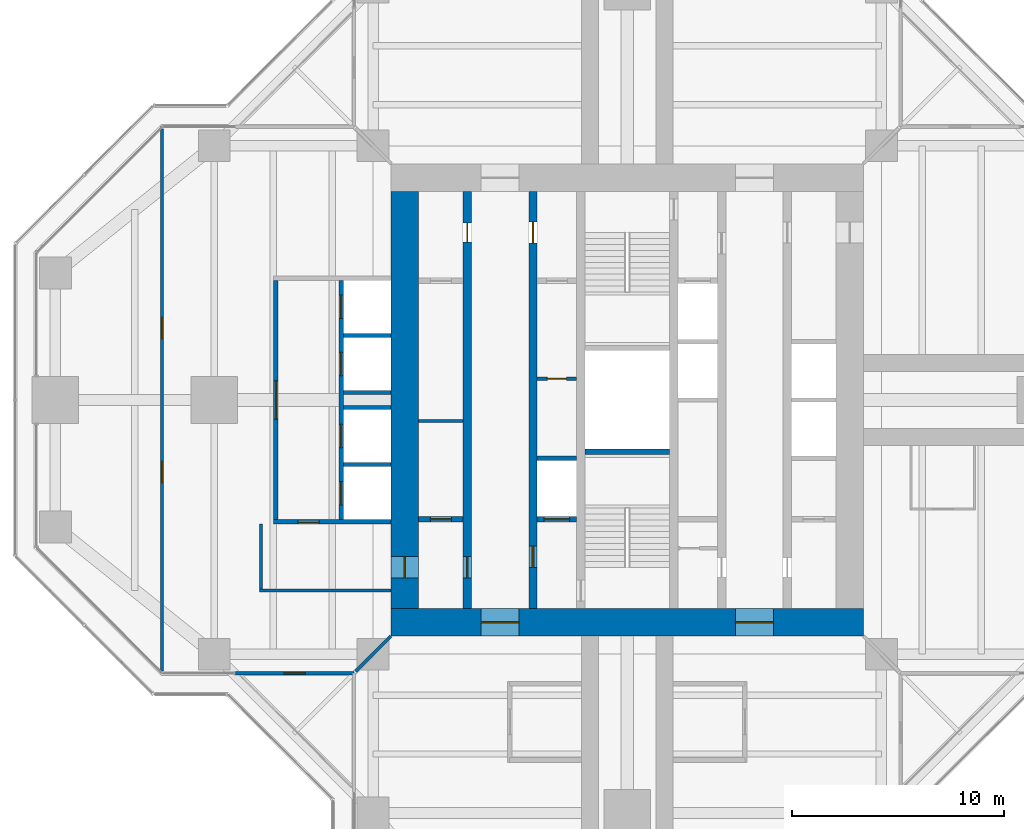
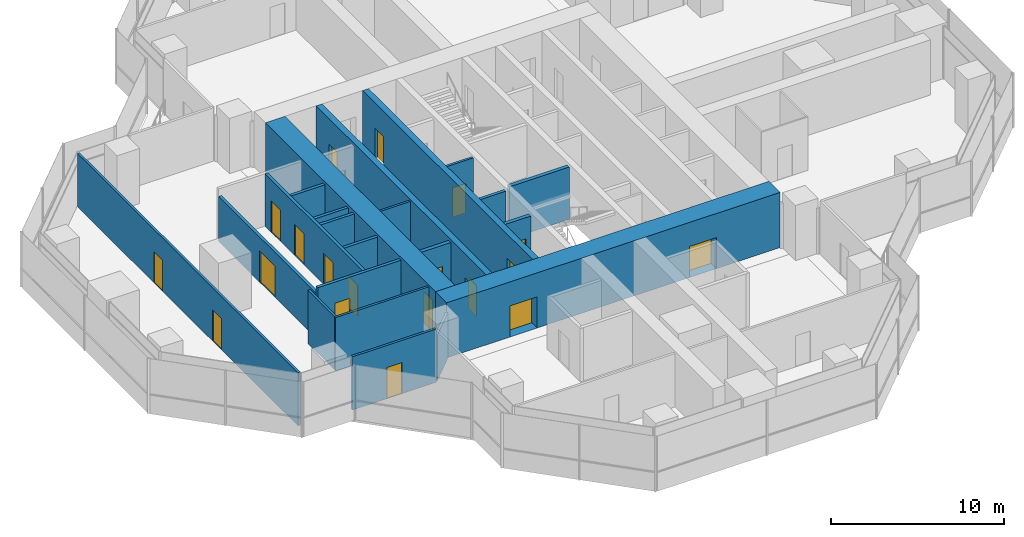
# One storey, part 13 of 17: 22 walls, 19 doors, 19 openings.
"""IFC4 building model written with IfcOpenShell, lengths in metres."""

import ifcopenshell
import ifcopenshell.guid

model = None  # the IFC model being written
_history = None  # IfcOwnerHistory: only IFC2X3 demands one
_inside = {}  # id of a spatial element -> (the spatial element, [elements in it])
_under = {}  # id of a project, library or spatial element -> (it, [spatial elements below it])
_declared = {}  # id of a project -> (the project, [libraries it declares])
_typed = {}  # id of a type object -> (the type object, [elements of that type])
_made_of = {}  # id of a material, layer set ... -> (it, [elements and type objects made of it])


def new_model(schema):
    """Start an empty IFC model of exactly this schema.

    Asked for "IFC4X3", IfcOpenShell would pick the latest addendum, in which some entities
    have other attributes; the version numbers below select the first issue.
    IFC2X3 requires an IfcOwnerHistory on every rooted entity: one is made here for all.
    """
    global model, _history
    if schema == "IFC4X3":
        model = ifcopenshell.file(schema_version=(4, 3, 0, 0))
    else:
        model = ifcopenshell.file(schema=schema)
    _inside.clear()
    _under.clear()
    _declared.clear()
    _typed.clear()
    _made_of.clear()
    _history = None
    if model.schema == "IFC2X3":
        org = make("IfcOrganization", Name="unknown")
        user = make(
            "IfcPersonAndOrganization",
            ThePerson=make("IfcPerson", FamilyName="unknown"),
            TheOrganization=org,
        )
        app = make(
            "IfcApplication",
            ApplicationDeveloper=org,
            Version="unknown",
            ApplicationFullName="unknown",
            ApplicationIdentifier="unknown",
        )
        _history = make(
            "IfcOwnerHistory",
            OwningUser=user,
            OwningApplication=app,
            ChangeAction="ADDED",
            CreationDate=0,
        )
    return model


def make(cls, **values):
    """One entity of the class cls with the attributes given. An attribute that is None is left unset."""
    return model.create_entity(
        cls, **{name: value for name, value in values.items() if value is not None}
    )


def rooted(cls, **values):
    """An entity with a GlobalId (a new one), such as an element, a storey or a relation."""
    return make(cls, GlobalId=ifcopenshell.guid.new(), OwnerHistory=_history, **values)


def si_unit(unit_type, name, prefix=None):
    """IfcSIUnit, for example si_unit("LENGTHUNIT", "METRE", prefix="MILLI")."""
    return make("IfcSIUnit", UnitType=unit_type, Prefix=prefix, Name=name)


def assignment(units):
    """IfcUnitAssignment: the units of a project."""
    return None if units is None else make("IfcUnitAssignment", Units=units)


def point(xyz):
    """IfcCartesianPoint."""
    return None if xyz is None else make("IfcCartesianPoint", Coordinates=xyz)


def direction(xyz):
    """IfcDirection."""
    return None if xyz is None else make("IfcDirection", DirectionRatios=xyz)


def frame(location, z_axis=None, x_axis=None):
    """IfcAxis2Placement3D, a coordinate frame: its origin and axes. An axis left out is left unset."""
    return make(
        "IfcAxis2Placement3D",
        Location=point(location),
        Axis=direction(z_axis),
        RefDirection=direction(x_axis),
    )


def frame_2d(location, x_axis=None):
    """IfcAxis2Placement2D, a coordinate frame in the plane: its origin and x axis."""
    return make(
        "IfcAxis2Placement2D", Location=point(location), RefDirection=direction(x_axis)
    )


def origin():
    """The frame at (0, 0, 0) with its axes left unset."""
    return frame((0.0, 0.0, 0.0))


def place(relative_to, where):
    """IfcLocalPlacement: puts the frame where relative to a parent placement (None: the world)."""
    return make(
        "IfcLocalPlacement", PlacementRelTo=relative_to, RelativePlacement=where
    )


def context(
    kind, dimensions, precision=None, world=None, true_north=None, identifier=None
):
    """IfcGeometricRepresentationContext, for example the 3D "Model" context."""
    return make(
        "IfcGeometricRepresentationContext",
        ContextIdentifier=identifier,
        ContextType=kind,
        CoordinateSpaceDimension=dimensions,
        Precision=precision,
        WorldCoordinateSystem=world,
        TrueNorth=true_north,
    )


def subcontext(parent, identifier, kind, view, scale=None):
    """IfcGeometricRepresentationSubContext, for example "Body" below "Model"."""
    return make(
        "IfcGeometricRepresentationSubContext",
        ContextIdentifier=identifier,
        ContextType=kind,
        ParentContext=parent,
        TargetScale=scale,
        TargetView=view,
    )


def project(units=None, contexts=None):
    """IfcProject with its units and contexts."""
    return rooted(
        "IfcProject",
        Name="project",
        RepresentationContexts=contexts,
        UnitsInContext=assignment(units),
    )


def spatial(cls, under=None, at=None, **own):
    """A site, building, storey or space (cls), placed at a placement, below another one or the project."""
    s = rooted(cls, ObjectPlacement=at, **own)
    if under is not None:
        _under.setdefault(under.id(), (under, []))[1].append(s)
    return s


def profile(cls, at=None, kind="AREA", **sizes):
    """A parametric profile (cls). Its sizes go by their IFC names, for example OverallWidth=200.0."""
    return make(cls, ProfileType=kind, Position=at, **sizes)


def rectangle(**sizes):
    """IfcRectangleProfileDef."""
    return profile("IfcRectangleProfileDef", **sizes)


def extrude(swept, where, along, depth):
    """IfcExtrudedAreaSolid: the profile swept, set in the frame where, extruded along a direction by depth."""
    return make(
        "IfcExtrudedAreaSolid",
        SweptArea=swept,
        Position=where,
        ExtrudedDirection=direction(along),
        Depth=depth,
    )


def shape(context_of_items, identifier, shape_type, items):
    """IfcShapeRepresentation: the items that make up one representation, for example the "Body"."""
    return make(
        "IfcShapeRepresentation",
        ContextOfItems=context_of_items,
        RepresentationIdentifier=identifier,
        RepresentationType=shape_type,
        Items=items,
    )


def material(Name=None, Category=None):
    """IfcMaterial."""
    return make("IfcMaterial", Name=Name, Category=Category)


def layer(
    of_material, thickness, ventilated=None, Name=None, Category=None, Priority=None
):
    """IfcMaterialLayer: one layer of a wall or slab, of a material (None: an air gap)."""
    return make(
        "IfcMaterialLayer",
        Material=of_material,
        LayerThickness=thickness,
        IsVentilated=ventilated,
        Name=Name,
        Category=Category,
        Priority=Priority,
    )


def layer_set(layers, Name=None):
    """IfcMaterialLayerSet."""
    return make("IfcMaterialLayerSet", MaterialLayers=layers, LayerSetName=Name)


def made_of(thing, what):
    """Note that an element or type object is made of a material, layer set ...; save() writes the relation."""
    if what is not None:
        _made_of.setdefault(what.id(), (what, []))[1].append(thing)
    return thing


def type_object(cls, material=None, **own):
    """A type object (cls), such as IfcWallType, which elements share."""
    return made_of(rooted(cls, **own), material)


def element(
    cls,
    number,
    at=None,
    inside=None,
    cuts=None,
    type_object=None,
    material=None,
    context=None,
    identifier="Body",
    shape_type=None,
    held_by="IfcProductDefinitionShape",
    body=None,
    shapes=None,
    **own,
):
    """One element of the class cls, such as IfcWall. Its Tag is "e" and its number.

    at: its placement. inside: the storey or other place that contains it. cuts: it is an
    opening in that element (IfcRelVoidsElement). A single representation is given by context,
    identifier, shape_type and body (its items); several are given by shapes. held_by: the class
    of the entity that holds the representations. save() writes the other relations.
    """
    e = rooted(cls, Tag="e%d" % number, ObjectPlacement=at, **own)
    if body is not None:
        shapes = [shape(context, identifier, shape_type, body)]
    if shapes is not None:
        e.Representation = make(held_by, Representations=shapes)
    if inside is not None:
        _inside.setdefault(inside.id(), (inside, []))[1].append(e)
    if cuts is not None:
        rooted(
            "IfcRelVoidsElement", RelatingBuildingElement=cuts, RelatedOpeningElement=e
        )
    if type_object is not None:
        _typed.setdefault(type_object.id(), (type_object, []))[1].append(e)
    return made_of(e, material)


def fill(opening, filler):
    """IfcRelFillsElement: the door or window that sits in an opening."""
    return rooted(
        "IfcRelFillsElement",
        RelatingOpeningElement=opening,
        RelatedBuildingElement=filler,
    )


def aggregate(whole, parts):
    """IfcRelAggregates: a whole, such as a stair, and the parts it consists of."""
    return rooted("IfcRelAggregates", RelatingObject=whole, RelatedObjects=parts)


def save(model, path):
    """Write the relations noted so far, then the file.

    IfcRelAggregates (storeys below a building ...), IfcRelContainedInSpatialStructure (elements
    in a storey), IfcRelDefinesByType, IfcRelAssociatesMaterial and IfcRelDeclares: one each for
    every whole, place, type object, material and project.
    """
    for whole, parts in _under.values():
        aggregate(whole, parts)
    for where, things in _inside.values():
        rooted(
            "IfcRelContainedInSpatialStructure",
            RelatedElements=things,
            RelatingStructure=where,
        )
    for kind, things in _typed.values():
        rooted("IfcRelDefinesByType", RelatedObjects=things, RelatingType=kind)
    for what, things in _made_of.values():
        rooted("IfcRelAssociatesMaterial", RelatedObjects=things, RelatingMaterial=what)
    for by, libraries in _declared.values():
        rooted("IfcRelDeclares", RelatingContext=by, RelatedDefinitions=libraries)
    model.write(path)


model = new_model("IFC4")

# Units and contexts
model_context = context("Model", 3, precision=1e-05, world=origin(), true_north=direction((0.0, 1.0)))
body_context = subcontext(model_context, "Body", "Model", "MODEL_VIEW")
ifc_project = project(units=[si_unit("LENGTHUNIT", "METRE"), si_unit("AREAUNIT", "SQUARE_METRE"), si_unit("VOLUMEUNIT", "CUBIC_METRE"), si_unit("PLANEANGLEUNIT", "RADIAN"), si_unit("MASSUNIT", "GRAM", prefix="KILO")], contexts=[model_context])

# Site, building, storey
site_placement = place(None, origin())
site = spatial("IfcSite", under=ifc_project, at=site_placement, CompositionType="ELEMENT")
building_placement = place(site_placement, origin())
building = spatial("IfcBuilding", under=site, at=building_placement, Name="Mizan Broadcast Tower", CompositionType="ELEMENT")
storey_placement = place(building_placement, frame((0.0, 0.0, 224.39990234375)))
storey = spatial("IfcBuildingStorey", under=building, at=storey_placement, Name="L52", CompositionType="ELEMENT", Elevation=224.39990234375)

# Wall, openings, doors
ifc_material_1 = material(Name="Concrete C70/85", Category="concrete")
ifc_layer_1 = layer(ifc_material_1, 0.39990234375)
ifc_layer_set_1 = layer_set([ifc_layer_1], Name="Concrete C70/85")
wall_type_1 = type_object("IfcWallType", Name="CORE INTERNAL WALL 400", PredefinedType="SHEAR", material=ifc_layer_set_1)
wall_1_placement = place(storey_placement, frame((-7.550048828125, -9.85009765625, 0.0), z_axis=(0.0, 0.0, 1.0), x_axis=(0.0, 1.0, 0.0)))
wall_1 = element("IfcWall", 1, at=wall_1_placement, inside=storey, type_object=wall_type_1, Name="Core wall CORE/XW1", PredefinedType="SHEAR", context=body_context, shape_type="SweptSolid", body=[
    extrude(rectangle(XDim=19.7001953125, YDim=0.39990234375, at=frame_2d((9.85009765625, 0.0))), origin(), (0.0, 0.0, 1.0), 3.900146484375),
])
opening_1_placement = place(wall_1_placement, frame((1.449951171875, 0.0, 0.0)))
opening_1 = element("IfcOpeningElement", 2, at=opening_1_placement, cuts=wall_1, Name="Opening D10F", PredefinedType="OPENING", context=body_context, shape_type="SweptSolid", body=[
    extrude(rectangle(XDim=1.0, YDim=2.199951171875, at=frame_2d((0.5, 1.10009765625))), frame((0.0, 0.2099609375, 0.0), z_axis=(0.0, -1.0, 0.0), x_axis=(1.0, 0.0, 0.0)), (0.0, 0.0, 1.0), 0.419921875),
])
opening_2_placement = place(wall_1_placement, frame((17.300048828125, 0.0, 0.0)))
opening_2 = element("IfcOpeningElement", 3, at=opening_2_placement, cuts=wall_1, Name="Opening D09", PredefinedType="OPENING", context=body_context, shape_type="SweptSolid", body=[
    extrude(rectangle(XDim=0.89990234375, YDim=2.10009765625, at=frame_2d((0.449951171875, 1.050048828125))), frame((0.0, 0.2099609375, 0.0), z_axis=(0.0, -1.0, 0.0), x_axis=(1.0, 0.0, 0.0)), (0.0, 0.0, 1.0), 0.419921875),
])
ifc_material_2 = material(Name="Steel door leaf in steel frame", Category="steel")
door_type_1 = type_object("IfcDoorType", Name="FIRE DOOR 1000 FD90", OperationType="SINGLE_SWING_LEFT", PredefinedType="DOOR", material=ifc_material_2)
door_1_placement = place(opening_1_placement, origin())
door_1 = element("IfcDoor", 4, at=door_1_placement, inside=storey, type_object=door_type_1, Name="West core passage door", OperationType="SINGLE_SWING_LEFT", OverallHeight=2.199951171875, OverallWidth=1.0, PredefinedType="DOOR", context=body_context, shape_type="SweptSolid", body=[
    extrude(rectangle(XDim=1.0, YDim=2.199951171875, at=frame_2d((0.5, 1.10009765625))), frame((0.0, 0.02490234375, 0.0), z_axis=(0.0, -1.0, 0.0), x_axis=(1.0, 0.0, 0.0)), (0.0, 0.0, 1.0), 0.050048828125),
])
fill(opening_1, door_1)
ifc_material_3 = material(Name="Timber door leaf in aluminium frame", Category="wood")
door_type_2 = type_object("IfcDoorType", Name="TOILET DOOR 900", OperationType="SINGLE_SWING_LEFT", PredefinedType="DOOR", material=ifc_material_3)
door_2_placement = place(opening_2_placement, origin())
door_2 = element("IfcDoor", 5, at=door_2_placement, inside=storey, type_object=door_type_2, Name="Male WC door", OperationType="SINGLE_SWING_RIGHT", OverallHeight=2.10009765625, OverallWidth=0.89990234375, PredefinedType="DOOR", context=body_context, shape_type="SweptSolid", body=[
    extrude(rectangle(XDim=0.89990234375, YDim=2.10009765625, at=frame_2d((0.449951171875, 1.050048828125))), frame((0.0, 0.02490234375, 0.0), z_axis=(0.0, -1.0, 0.0), x_axis=(1.0, 0.0, 0.0)), (0.0, 0.0, 1.0), 0.050048828125),
])
fill(opening_2, door_2)

wall_2_placement = place(storey_placement, frame((-4.449951171875, -9.85009765625, 0.0), z_axis=(0.0, 0.0, 1.0), x_axis=(0.0, 1.0, 0.0)))
wall_2 = element("IfcWall", 6, at=wall_2_placement, inside=storey, type_object=wall_type_1, Name="Core wall CORE/XWH", PredefinedType="SHEAR", context=body_context, shape_type="SweptSolid", body=[
    extrude(rectangle(XDim=19.7001953125, YDim=0.39990234375, at=frame_2d((9.85009765625, 0.0))), origin(), (0.0, 0.0, 1.0), 3.900146484375),
])
opening_3_placement = place(wall_2_placement, frame((1.949951171875, 0.0, 0.0)))
opening_3 = element("IfcOpeningElement", 7, at=opening_3_placement, cuts=wall_2, Name="Opening D10F", PredefinedType="OPENING", context=body_context, shape_type="SweptSolid", body=[
    extrude(rectangle(XDim=1.0, YDim=2.199951171875, at=frame_2d((0.5, 1.10009765625))), frame((0.0, 0.2099609375, 0.0), z_axis=(0.0, -1.0, 0.0), x_axis=(1.0, 0.0, 0.0)), (0.0, 0.0, 1.0), 0.419921875),
])
opening_4_placement = place(wall_2_placement, frame((17.25, 0.0, 0.0)))
opening_4 = element("IfcOpeningElement", 8, at=opening_4_placement, cuts=wall_2, Name="Opening D10A", PredefinedType="OPENING", context=body_context, shape_type="SweptSolid", body=[
    extrude(rectangle(XDim=1.0, YDim=2.10009765625, at=frame_2d((0.5, 1.050048828125))), frame((0.0, 0.2099609375, 0.0), z_axis=(0.0, -1.0, 0.0), x_axis=(1.0, 0.0, 0.0)), (0.0, 0.0, 1.0), 0.419921875),
])
ifc_material_4 = material(Name="Timber door leaf in aluminium frame", Category="wood")
door_type_3 = type_object("IfcDoorType", Name="ACCESSIBLE WC DOOR 1000", OperationType="SLIDING_TO_LEFT", PredefinedType="DOOR", material=ifc_material_4)
door_3_placement = place(opening_4_placement, origin())
door_3 = element("IfcDoor", 9, at=door_3_placement, inside=storey, type_object=door_type_3, Name="Accessible WC door", OperationType="SLIDING_TO_LEFT", OverallHeight=2.10009765625, OverallWidth=1.0, PredefinedType="DOOR", context=body_context, shape_type="SweptSolid", body=[
    extrude(rectangle(XDim=1.0, YDim=2.10009765625, at=frame_2d((0.5, 1.050048828125))), frame((0.0, 0.02490234375, 0.0), z_axis=(0.0, -1.0, 0.0), x_axis=(1.0, 0.0, 0.0)), (0.0, 0.0, 1.0), 0.050048828125),
])
fill(opening_4, door_3)
door_4_placement = place(opening_3_placement, origin())
door_4 = element("IfcDoor", 10, at=door_4_placement, inside=storey, type_object=door_type_1, Name="Firefighting lobby A door", OperationType="SINGLE_SWING_LEFT", OverallHeight=2.199951171875, OverallWidth=1.0, PredefinedType="DOOR", context=body_context, shape_type="SweptSolid", body=[
    extrude(rectangle(XDim=1.0, YDim=2.199951171875, at=frame_2d((0.5, 1.10009765625))), frame((0.0, 0.02490234375, 0.0), z_axis=(0.0, -1.0, 0.0), x_axis=(1.0, 0.0, 0.0)), (0.0, 0.0, 1.0), 0.050048828125),
])
fill(opening_3, door_4)

# Wall
ifc_material_5 = material(Name="Concrete blockwork", Category="masonry")
ifc_layer_2 = layer(ifc_material_5, 0.14990234375)
ifc_layer_set_2 = layer_set([ifc_layer_2], Name="Concrete blockwork")
wall_type_2 = type_object("IfcWallType", Name="CORE PARTITION 150", PredefinedType="SOLIDWALL", material=ifc_layer_set_2)
wall_3_placement = place(storey_placement, frame((-9.85009765625, -1.0, 0.0), z_axis=(0.0, 0.0, 1.0), x_axis=(1.0, 0.0, 0.0)))
element("IfcWall", 11, at=wall_3_placement, inside=storey, type_object=wall_type_2, Name="Core partition CORE/XP1", PredefinedType="SOLIDWALL", context=body_context, shape_type="SweptSolid", body=[
    extrude(rectangle(XDim=2.10009765625, YDim=0.14990234375, at=frame_2d((1.050048828125, 0.0))), origin(), (0.0, 0.0, 1.0), 3.77001953125),
])

# Wall, opening, door
wall_4_placement = place(storey_placement, frame((-4.25, 1.0, 0.0), z_axis=(0.0, 0.0, 1.0), x_axis=(1.0, 0.0, 0.0)))
wall_4 = element("IfcWall", 12, at=wall_4_placement, inside=storey, type_object=wall_type_2, Name="Core partition CORE/XP2", PredefinedType="SOLIDWALL", context=body_context, shape_type="SweptSolid", body=[
    extrude(rectangle(XDim=1.85009765625, YDim=0.14990234375, at=frame_2d((0.925048828125, 0.0))), origin(), (0.0, 0.0, 1.0), 3.77001953125),
])
opening_5_placement = place(wall_4_placement, frame((0.47509765625, 0.0, 0.0)))
opening_5 = element("IfcOpeningElement", 13, at=opening_5_placement, cuts=wall_4, Name="Opening D09F", PredefinedType="OPENING", context=body_context, shape_type="SweptSolid", body=[
    extrude(rectangle(XDim=0.89990234375, YDim=2.10009765625, at=frame_2d((0.449951171875, 1.050048828125))), frame((0.0, 0.0849609375, 0.0), z_axis=(0.0, -1.0, 0.0), x_axis=(1.0, 0.0, 0.0)), (0.0, 0.0, 1.0), 0.169921875),
])
ifc_material_6 = material(Name="Steel door leaf in steel frame", Category="steel")
door_type_4 = type_object("IfcDoorType", Name="CORE ROOM DOOR 900 FD90", OperationType="SINGLE_SWING_LEFT", PredefinedType="DOOR", material=ifc_material_6)
door_5_placement = place(opening_5_placement, origin())
door_5 = element("IfcDoor", 14, at=door_5_placement, inside=storey, type_object=door_type_4, Name="Accessible changing room door", OperationType="SINGLE_SWING_RIGHT", OverallHeight=2.10009765625, OverallWidth=0.89990234375, PredefinedType="DOOR", context=body_context, shape_type="SweptSolid", body=[
    extrude(rectangle(XDim=0.89990234375, YDim=2.10009765625, at=frame_2d((0.449951171875, 1.050048828125))), frame((0.0, 0.02490234375, 0.0), z_axis=(0.0, -1.0, 0.0), x_axis=(1.0, 0.0, 0.0)), (0.0, 0.0, 1.0), 0.050048828125),
])
fill(opening_5, door_5)

# Wall, openings, doors
ifc_material_7 = material(Name="Concrete C70/85", Category="concrete")
ifc_layer_3 = layer(ifc_material_7, 1.300048828125)
ifc_layer_set_3 = layer_set([ifc_layer_3], Name="Concrete C70/85")
wall_type_3 = type_object("IfcWallType", Name="CORE WALL 1300", PredefinedType="SHEAR", material=ifc_layer_set_3)
wall_5_placement = place(storey_placement, frame((11.14990234375, -10.5, 0.0), z_axis=(0.0, 0.0, 1.0), x_axis=(-1.0, 0.0, 0.0)))
wall_5 = element("IfcWall", 15, at=wall_5_placement, inside=storey, type_object=wall_type_3, Name="Core wall S L52", PredefinedType="SHEAR", context=body_context, shape_type="SweptSolid", body=[
    extrude(rectangle(XDim=22.2998046875, YDim=1.300048828125, at=frame_2d((11.14990234375, 0.0))), origin(), (0.0, 0.0, 1.0), 3.900146484375),
])
opening_6_placement = place(wall_5_placement, frame((16.25, 0.0, 0.0)))
opening_6 = element("IfcOpeningElement", 16, at=opening_6_placement, cuts=wall_5, Name="Opening D18F", PredefinedType="OPENING", context=body_context, shape_type="SweptSolid", body=[
    extrude(rectangle(XDim=1.800048828125, YDim=2.199951171875, at=frame_2d((0.89990234375, 1.10009765625))), frame((0.0, 0.659912109375, 0.0), z_axis=(0.0, -1.0, 0.0), x_axis=(1.0, 0.0, 0.0)), (0.0, 0.0, 1.0), 1.320068359375),
])
opening_7_placement = place(wall_5_placement, frame((4.25, 0.0, 0.0)))
opening_7 = element("IfcOpeningElement", 17, at=opening_7_placement, cuts=wall_5, Name="Opening D18F", PredefinedType="OPENING", context=body_context, shape_type="SweptSolid", body=[
    extrude(rectangle(XDim=1.800048828125, YDim=2.199951171875, at=frame_2d((0.89990234375, 1.10009765625))), frame((0.0, 0.659912109375, 0.0), z_axis=(0.0, -1.0, 0.0), x_axis=(1.0, 0.0, 0.0)), (0.0, 0.0, 1.0), 1.320068359375),
])
ifc_material_8 = material(Name="Steel door leaf in steel frame", Category="steel")
door_type_5 = type_object("IfcDoorType", Name="LOBBY DOUBLE DOOR 1800 FD90", OperationType="DOUBLE_DOOR_DOUBLE_SWING", PredefinedType="DOOR", material=ifc_material_8)
door_6_placement = place(opening_6_placement, origin())
door_6 = element("IfcDoor", 18, at=door_6_placement, inside=storey, type_object=door_type_5, Name="West lift lobby south door", OperationType="DOUBLE_DOOR_DOUBLE_SWING", OverallHeight=2.199951171875, OverallWidth=1.800048828125, PredefinedType="DOOR", context=body_context, shape_type="SweptSolid", body=[
    extrude(rectangle(XDim=1.800048828125, YDim=2.199951171875, at=frame_2d((0.89990234375, 1.10009765625))), frame((0.0, 0.02490234375, 0.0), z_axis=(0.0, -1.0, 0.0), x_axis=(1.0, 0.0, 0.0)), (0.0, 0.0, 1.0), 0.050048828125),
])
fill(opening_6, door_6)
door_7_placement = place(opening_7_placement, origin())
door_7 = element("IfcDoor", 19, at=door_7_placement, inside=storey, type_object=door_type_5, Name="East lift lobby south door", OperationType="DOUBLE_DOOR_DOUBLE_SWING", OverallHeight=2.199951171875, OverallWidth=1.800048828125, PredefinedType="DOOR", context=body_context, shape_type="SweptSolid", body=[
    extrude(rectangle(XDim=1.800048828125, YDim=2.199951171875, at=frame_2d((0.89990234375, 1.10009765625))), frame((0.0, 0.02490234375, 0.0), z_axis=(0.0, -1.0, 0.0), x_axis=(1.0, 0.0, 0.0)), (0.0, 0.0, 1.0), 0.050048828125),
])
fill(opening_7, door_7)

# Wall, opening, door
wall_6_placement = place(storey_placement, frame((-10.5, 9.85009765625, 0.0), z_axis=(0.0, 0.0, 1.0), x_axis=(0.0, -1.0, 0.0)))
wall_6 = element("IfcWall", 20, at=wall_6_placement, inside=storey, type_object=wall_type_3, Name="Core wall W L52", PredefinedType="SHEAR", context=body_context, shape_type="SweptSolid", body=[
    extrude(rectangle(XDim=19.7001953125, YDim=1.300048828125, at=frame_2d((9.85009765625, 0.0))), origin(), (0.0, 0.0, 1.0), 3.900146484375),
])
opening_8_placement = place(wall_6_placement, frame((17.25, 0.0, 0.0)))
opening_8 = element("IfcOpeningElement", 21, at=opening_8_placement, cuts=wall_6, Name="Opening D10F", PredefinedType="OPENING", context=body_context, shape_type="SweptSolid", body=[
    extrude(rectangle(XDim=1.0, YDim=2.199951171875, at=frame_2d((0.5, 1.10009765625))), frame((0.0, 0.659912109375, 0.0), z_axis=(0.0, -1.0, 0.0), x_axis=(1.0, 0.0, 0.0)), (0.0, 0.0, 1.0), 1.320068359375),
])
door_8_placement = place(opening_8_placement, origin())
door_8 = element("IfcDoor", 22, at=door_8_placement, inside=storey, type_object=door_type_1, Name="West core passage arm door", OperationType="SINGLE_SWING_RIGHT", OverallHeight=2.199951171875, OverallWidth=1.0, PredefinedType="DOOR", context=body_context, shape_type="SweptSolid", body=[
    extrude(rectangle(XDim=1.0, YDim=2.199951171875, at=frame_2d((0.5, 1.10009765625))), frame((0.0, 0.02490234375, 0.0), z_axis=(0.0, -1.0, 0.0), x_axis=(1.0, 0.0, 0.0)), (0.0, 0.0, 1.0), 0.050048828125),
])
fill(opening_8, door_8)

ifc_material_9 = material(Name="Aluminium framed glazed screen", Category="aluminium")
ifc_layer_4 = layer(ifc_material_9, 0.159912109375)
ifc_layer_set_4 = layer_set([ifc_layer_4], Name="Aluminium framed glazed screen")
wall_type_4 = type_object("IfcWallType", Name="GLAZED SCREEN WALL 160", PredefinedType="SOLIDWALL", material=ifc_layer_set_4)
wall_7_placement = place(storey_placement, frame((-18.5, -12.89990234375, 0.0), z_axis=(0.0, 0.0, 1.0), x_axis=(1.0, 0.0, 0.0)))
wall_7 = element("IfcWall", 23, at=wall_7_placement, inside=storey, type_object=wall_type_4, Name="Winter garden screen L52 W", PredefinedType="SOLIDWALL", context=body_context, shape_type="SweptSolid", body=[
    extrude(rectangle(XDim=5.60009765625, YDim=0.159912109375, at=frame_2d((2.800048828125, 0.0))), origin(), (0.0, 0.0, 1.0), 3.77001953125),
])
opening_9_placement = place(wall_7_placement, frame((2.300048828125, 0.0, 0.0)))
opening_9 = element("IfcOpeningElement", 24, at=opening_9_placement, cuts=wall_7, Name="Opening WGD", PredefinedType="OPENING", context=body_context, shape_type="SweptSolid", body=[
    extrude(rectangle(XDim=1.0, YDim=2.199951171875, at=frame_2d((0.5, 1.10009765625))), frame((0.0, 0.08984375, 0.0), z_axis=(0.0, -1.0, 0.0), x_axis=(1.0, 0.0, 0.0)), (0.0, 0.0, 1.0), 0.179931640625),
])
ifc_material_10 = material(Name="Aluminium framed glazed door", Category="aluminium")
door_type_6 = type_object("IfcDoorType", Name="WINTER GARDEN DOOR 1000 GLAZED", OperationType="SINGLE_SWING_LEFT", PredefinedType="DOOR", material=ifc_material_10)
door_9_placement = place(opening_9_placement, origin())
door_9 = element("IfcDoor", 25, at=door_9_placement, inside=storey, type_object=door_type_6, Name="Winter garden door L52 W", OperationType="SINGLE_SWING_RIGHT", OverallHeight=2.199951171875, OverallWidth=1.0, PredefinedType="DOOR", context=body_context, shape_type="SweptSolid", body=[
    extrude(rectangle(XDim=1.0, YDim=2.199951171875, at=frame_2d((0.5, 1.10009765625))), frame((0.0, 0.02490234375, 0.0), z_axis=(0.0, -1.0, 0.0), x_axis=(1.0, 0.0, 0.0)), (0.0, 0.0, 1.0), 0.050048828125),
])
fill(opening_9, door_9)

# Wall
ifc_material_11 = material(Name="Concrete blockwork", Category="masonry")
ifc_layer_5 = layer(ifc_material_11, 0.199951171875)
ifc_layer_set_5 = layer_set([ifc_layer_5], Name="Concrete blockwork")
wall_type_5 = type_object("IfcWallType", Name="LIFT SHAFT WALL 200", PredefinedType="SOLIDWALL", material=ifc_layer_set_5)
wall_8_placement = place(storey_placement, frame((-4.25, -2.75, 0.0), z_axis=(0.0, 0.0, 1.0), x_axis=(1.0, 0.0, 0.0)))
element("IfcWall", 26, at=wall_8_placement, inside=storey, type_object=wall_type_5, Name="Lift shaft wall CORE/SW2-1", PredefinedType="SOLIDWALL", context=body_context, shape_type="SweptSolid", body=[
    extrude(rectangle(XDim=1.85009765625, YDim=0.199951171875, at=frame_2d((0.925048828125, 0.0))), origin(), (0.0, 0.0, 1.0), 3.7001953125),
])

# Wall, openings, doors
wall_9_placement = place(storey_placement, frame((-13.5, 5.64990234375, 0.0), z_axis=(0.0, 0.0, 1.0), x_axis=(0.0, -1.0, 0.0)))
wall_9 = element("IfcWall", 27, at=wall_9_placement, inside=storey, type_object=wall_type_5, Name="Lift shaft wall LC/F", PredefinedType="SOLIDWALL", context=body_context, shape_type="SweptSolid", body=[
    extrude(rectangle(XDim=11.2998046875, YDim=0.199951171875, at=frame_2d((5.64990234375, 0.0))), origin(), (0.0, 0.0, 1.0), 3.7001953125),
])
opening_10_placement = place(wall_9_placement, frame((0.699951171875, 0.0, 0.0)))
opening_10 = element("IfcOpeningElement", 28, at=opening_10_placement, cuts=wall_9, Name="Opening LD", PredefinedType="OPENING", context=body_context, shape_type="SweptSolid", body=[
    extrude(rectangle(XDim=1.10009765625, YDim=2.199951171875, at=frame_2d((0.550048828125, 1.10009765625))), frame((0.0, 0.10986328125, 0.0), z_axis=(0.0, -1.0, 0.0), x_axis=(1.0, 0.0, 0.0)), (0.0, 0.0, 1.0), 0.219970703125),
])
opening_11_placement = place(wall_9_placement, frame((3.39990234375, 0.0, 0.0)))
opening_11 = element("IfcOpeningElement", 29, at=opening_11_placement, cuts=wall_9, Name="Opening LD", PredefinedType="OPENING", context=body_context, shape_type="SweptSolid", body=[
    extrude(rectangle(XDim=1.10009765625, YDim=2.199951171875, at=frame_2d((0.550048828125, 1.10009765625))), frame((0.0, 0.10986328125, 0.0), z_axis=(0.0, -1.0, 0.0), x_axis=(1.0, 0.0, 0.0)), (0.0, 0.0, 1.0), 0.219970703125),
])
opening_12_placement = place(wall_9_placement, frame((6.800048828125, 0.0, 0.0)))
opening_12 = element("IfcOpeningElement", 30, at=opening_12_placement, cuts=wall_9, Name="Opening LD", PredefinedType="OPENING", context=body_context, shape_type="SweptSolid", body=[
    extrude(rectangle(XDim=1.10009765625, YDim=2.199951171875, at=frame_2d((0.550048828125, 1.10009765625))), frame((0.0, 0.10986328125, 0.0), z_axis=(0.0, -1.0, 0.0), x_axis=(1.0, 0.0, 0.0)), (0.0, 0.0, 1.0), 0.219970703125),
])
opening_13_placement = place(wall_9_placement, frame((9.5, 0.0, 0.0)))
opening_13 = element("IfcOpeningElement", 31, at=opening_13_placement, cuts=wall_9, Name="Opening LD", PredefinedType="OPENING", context=body_context, shape_type="SweptSolid", body=[
    extrude(rectangle(XDim=1.10009765625, YDim=2.199951171875, at=frame_2d((0.550048828125, 1.10009765625))), frame((0.0, 0.10986328125, 0.0), z_axis=(0.0, -1.0, 0.0), x_axis=(1.0, 0.0, 0.0)), (0.0, 0.0, 1.0), 0.219970703125),
])
ifc_material_12 = material(Name="Steel door leaf in steel frame", Category="steel")
door_type_7 = type_object("IfcDoorType", Name="LIFT LANDING DOOR 1100", OperationType="SLIDING_TO_LEFT", PredefinedType="DOOR", material=ifc_material_12)
door_10_placement = place(opening_10_placement, origin())
door_10 = element("IfcDoor", 32, at=door_10_placement, inside=storey, type_object=door_type_7, Name="Landing door LC1", OperationType="SLIDING_TO_LEFT", OverallHeight=2.199951171875, OverallWidth=1.10009765625, PredefinedType="DOOR", context=body_context, shape_type="SweptSolid", body=[
    extrude(rectangle(XDim=1.10009765625, YDim=2.199951171875, at=frame_2d((0.550048828125, 1.10009765625))), frame((0.0, 0.02490234375, 0.0), z_axis=(0.0, -1.0, 0.0), x_axis=(1.0, 0.0, 0.0)), (0.0, 0.0, 1.0), 0.050048828125),
])
fill(opening_10, door_10)
door_11_placement = place(opening_11_placement, origin())
door_11 = element("IfcDoor", 33, at=door_11_placement, inside=storey, type_object=door_type_7, Name="Landing door LC2", OperationType="SLIDING_TO_LEFT", OverallHeight=2.199951171875, OverallWidth=1.10009765625, PredefinedType="DOOR", context=body_context, shape_type="SweptSolid", body=[
    extrude(rectangle(XDim=1.10009765625, YDim=2.199951171875, at=frame_2d((0.550048828125, 1.10009765625))), frame((0.0, 0.02490234375, 0.0), z_axis=(0.0, -1.0, 0.0), x_axis=(1.0, 0.0, 0.0)), (0.0, 0.0, 1.0), 0.050048828125),
])
fill(opening_11, door_11)
door_12_placement = place(opening_12_placement, origin())
door_12 = element("IfcDoor", 34, at=door_12_placement, inside=storey, type_object=door_type_7, Name="Landing door LC3", OperationType="SLIDING_TO_LEFT", OverallHeight=2.199951171875, OverallWidth=1.10009765625, PredefinedType="DOOR", context=body_context, shape_type="SweptSolid", body=[
    extrude(rectangle(XDim=1.10009765625, YDim=2.199951171875, at=frame_2d((0.550048828125, 1.10009765625))), frame((0.0, 0.02490234375, 0.0), z_axis=(0.0, -1.0, 0.0), x_axis=(1.0, 0.0, 0.0)), (0.0, 0.0, 1.0), 0.050048828125),
])
fill(opening_12, door_12)
door_13_placement = place(opening_13_placement, origin())
door_13 = element("IfcDoor", 35, at=door_13_placement, inside=storey, type_object=door_type_7, Name="Landing door LC4", OperationType="SLIDING_TO_LEFT", OverallHeight=2.199951171875, OverallWidth=1.10009765625, PredefinedType="DOOR", context=body_context, shape_type="SweptSolid", body=[
    extrude(rectangle(XDim=1.10009765625, YDim=2.199951171875, at=frame_2d((0.550048828125, 1.10009765625))), frame((0.0, 0.02490234375, 0.0), z_axis=(0.0, -1.0, 0.0), x_axis=(1.0, 0.0, 0.0)), (0.0, 0.0, 1.0), 0.050048828125),
])
fill(opening_13, door_13)

# Wall, opening, door
wall_10_placement = place(storey_placement, frame((-11.14990234375, -5.75, 0.0), z_axis=(0.0, 0.0, 1.0), x_axis=(-1.0, 0.0, 0.0)))
wall_10 = element("IfcWall", 36, at=wall_10_placement, inside=storey, type_object=wall_type_5, Name="Lift shaft wall LC/S2", PredefinedType="SOLIDWALL", context=body_context, shape_type="SweptSolid", body=[
    extrude(rectangle(XDim=5.550048828125, YDim=0.199951171875, at=frame_2d((2.77490234375, 0.0))), origin(), (0.0, 0.0, 1.0), 3.7001953125),
])
opening_14_placement = place(wall_10_placement, frame((3.39990234375, 0.0, 0.0)))
opening_14 = element("IfcOpeningElement", 37, at=opening_14_placement, cuts=wall_10, Name="Opening D10F", PredefinedType="OPENING", context=body_context, shape_type="SweptSolid", body=[
    extrude(rectangle(XDim=1.0, YDim=2.199951171875, at=frame_2d((0.5, 1.10009765625))), frame((0.0, 0.10986328125, 0.0), z_axis=(0.0, -1.0, 0.0), x_axis=(1.0, 0.0, 0.0)), (0.0, 0.0, 1.0), 0.219970703125),
])
door_14_placement = place(opening_14_placement, origin())
door_14 = element("IfcDoor", 38, at=door_14_placement, inside=storey, type_object=door_type_1, Name="High-rise lobby corridor door", OperationType="SINGLE_SWING_RIGHT", OverallHeight=2.199951171875, OverallWidth=1.0, PredefinedType="DOOR", context=body_context, shape_type="SweptSolid", body=[
    extrude(rectangle(XDim=1.0, YDim=2.199951171875, at=frame_2d((0.5, 1.10009765625))), frame((0.0, 0.02490234375, 0.0), z_axis=(0.0, -1.0, 0.0), x_axis=(1.0, 0.0, 0.0)), (0.0, 0.0, 1.0), 0.050048828125),
])
fill(opening_14, door_14)

# Walls
for number, where, z_axis, x_axis, name in (
    (39, (-11.14990234375, 3.050048828125, 0.0), (0.0, 0.0, 1.0), (-1.0, 0.0, 0.0), "Lift shaft wall LC/SP1"),
    (40, (-11.14990234375, 0.35009765625, 0.0), (0.0, 0.0, 1.0), (-1.0, 0.0, 0.0), "Lift shaft wall LC/SP2"),
    (41, (-11.14990234375, -0.35009765625, 0.0), (0.0, 0.0, 1.0), (-1.0, 0.0, 0.0), "Lift shaft wall LC/SP3"),
    (42, (-11.14990234375, -3.050048828125, 0.0), (0.0, 0.0, 1.0), (-1.0, 0.0, 0.0), "Lift shaft wall LC/SP4"),
):
    element("IfcWall", number, at=place(storey_placement, frame(where, z_axis=z_axis, x_axis=x_axis)), inside=storey, type_object=wall_type_5, Name=name, PredefinedType="SOLIDWALL", context=body_context, shape_type="SweptSolid", body=[
        extrude(rectangle(XDim=2.25, YDim=0.199951171875, at=frame_2d((1.125, 0.0))), origin(), (0.0, 0.0, 1.0), 3.7001953125),
    ])

# Wall, opening, door
ifc_material_13 = material(Name="Concrete blockwork", Category="masonry")
ifc_layer_6 = layer(ifc_material_13, 0.25)
ifc_layer_set_6 = layer_set([ifc_layer_6], Name="Concrete blockwork")
wall_type_6 = type_object("IfcWallType", Name="LOBBY ENCLOSURE WALL 250", PredefinedType="SOLIDWALL", material=ifc_layer_set_6)
wall_11_placement = place(storey_placement, frame((-9.85009765625, -5.625, 0.0), z_axis=(0.0, 0.0, 1.0), x_axis=(1.0, 0.0, 0.0)))
wall_11 = element("IfcWall", 43, at=wall_11_placement, inside=storey, type_object=wall_type_6, Name="Lobby enclosure wall CORE/BW1S", PredefinedType="SOLIDWALL", context=body_context, shape_type="SweptSolid", body=[
    extrude(rectangle(XDim=2.10009765625, YDim=0.25, at=frame_2d((1.050048828125, 0.0))), origin(), (0.0, 0.0, 1.0), 3.7001953125),
])
opening_15_placement = place(wall_11_placement, frame((0.550048828125, 0.0, 0.0)))
opening_15 = element("IfcOpeningElement", 44, at=opening_15_placement, cuts=wall_11, Name="Opening D10F", PredefinedType="OPENING", context=body_context, shape_type="SweptSolid", body=[
    extrude(rectangle(XDim=1.0, YDim=2.199951171875, at=frame_2d((0.5, 1.10009765625))), frame((0.0, 0.135009765625, 0.0), z_axis=(0.0, -1.0, 0.0), x_axis=(1.0, 0.0, 0.0)), (0.0, 0.0, 1.0), 0.27001953125),
])
door_15_placement = place(opening_15_placement, origin())
door_15 = element("IfcDoor", 45, at=door_15_placement, inside=storey, type_object=door_type_1, Name="Housekeeping store door", OperationType="SINGLE_SWING_RIGHT", OverallHeight=2.199951171875, OverallWidth=1.0, PredefinedType="DOOR", context=body_context, shape_type="SweptSolid", body=[
    extrude(rectangle(XDim=1.0, YDim=2.199951171875, at=frame_2d((0.5, 1.10009765625))), frame((0.0, 0.02490234375, 0.0), z_axis=(0.0, -1.0, 0.0), x_axis=(1.0, 0.0, 0.0)), (0.0, 0.0, 1.0), 0.050048828125),
])
fill(opening_15, door_15)

wall_12_placement = place(storey_placement, frame((-4.25, -5.625, 0.0), z_axis=(0.0, 0.0, 1.0), x_axis=(1.0, 0.0, 0.0)))
wall_12 = element("IfcWall", 46, at=wall_12_placement, inside=storey, type_object=wall_type_6, Name="Lobby enclosure wall CORE/BW2S", PredefinedType="SOLIDWALL", context=body_context, shape_type="SweptSolid", body=[
    extrude(rectangle(XDim=1.85009765625, YDim=0.25, at=frame_2d((0.925048828125, 0.0))), origin(), (0.0, 0.0, 1.0), 3.7001953125),
])
opening_16_placement = place(wall_12_placement, frame((0.324951171875, 0.0, 0.0)))
opening_16 = element("IfcOpeningElement", 47, at=opening_16_placement, cuts=wall_12, Name="Opening LDF", PredefinedType="OPENING", context=body_context, shape_type="SweptSolid", body=[
    extrude(rectangle(XDim=1.199951171875, YDim=2.199951171875, at=frame_2d((0.60009765625, 1.10009765625))), frame((0.0, 0.135009765625, 0.0), z_axis=(0.0, -1.0, 0.0), x_axis=(1.0, 0.0, 0.0)), (0.0, 0.0, 1.0), 0.27001953125),
])
ifc_material_14 = material(Name="Steel door leaf in steel frame", Category="steel")
door_type_8 = type_object("IfcDoorType", Name="FIREFIGHTING LIFT LANDING DOOR 1200", OperationType="SLIDING_TO_LEFT", PredefinedType="DOOR", material=ifc_material_14)
door_16_placement = place(opening_16_placement, origin())
door_16 = element("IfcDoor", 48, at=door_16_placement, inside=storey, type_object=door_type_8, Name="Landing door FF1", OperationType="SLIDING_TO_LEFT", OverallHeight=2.199951171875, OverallWidth=1.199951171875, PredefinedType="DOOR", context=body_context, shape_type="SweptSolid", body=[
    extrude(rectangle(XDim=1.199951171875, YDim=2.199951171875, at=frame_2d((0.60009765625, 1.10009765625))), frame((0.0, 0.02490234375, 0.0), z_axis=(0.0, -1.0, 0.0), x_axis=(1.0, 0.0, 0.0)), (0.0, 0.0, 1.0), 0.050048828125),
])
fill(opening_16, door_16)

# Wall
wall_13_placement = place(storey_placement, frame((-2.0, -2.449951171875, 0.0), z_axis=(0.0, 0.0, 1.0), x_axis=(1.0, 0.0, 0.0)))
element("IfcWall", 49, at=wall_13_placement, inside=storey, type_object=wall_type_6, Name="Lobby enclosure wall CORE/STA", PredefinedType="SOLIDWALL", context=body_context, shape_type="SweptSolid", body=[
    extrude(rectangle(XDim=4.0, YDim=0.25, at=frame_2d((2.0, 0.0))), origin(), (0.0, 0.0, 1.0), 3.7001953125),
])

# Wall, opening, door
wall_14_placement = place(storey_placement, frame((-16.60009765625, 5.64990234375, 0.0), z_axis=(0.0, 0.0, 1.0), x_axis=(0.0, -1.0, 0.0)))
wall_14 = element("IfcWall", 50, at=wall_14_placement, inside=storey, type_object=wall_type_6, Name="Lobby enclosure wall LC/LF", PredefinedType="SOLIDWALL", context=body_context, shape_type="SweptSolid", body=[
    extrude(rectangle(XDim=11.2998046875, YDim=0.199951171875, at=frame_2d((5.64990234375, 0.0))), origin(), (0.0, 0.0, 1.0), 3.18017578125),
])
opening_17_placement = place(wall_14_placement, frame((4.75, 0.0, 0.0)))
opening_17 = element("IfcOpeningElement", 51, at=opening_17_placement, cuts=wall_14, Name="Opening D18F", PredefinedType="OPENING", context=body_context, shape_type="SweptSolid", body=[
    extrude(rectangle(XDim=1.800048828125, YDim=2.199951171875, at=frame_2d((0.89990234375, 1.10009765625))), frame((0.0, 0.10986328125, 0.0), z_axis=(0.0, -1.0, 0.0), x_axis=(1.0, 0.0, 0.0)), (0.0, 0.0, 1.0), 0.219970703125),
])
door_17_placement = place(opening_17_placement, origin())
door_17 = element("IfcDoor", 52, at=door_17_placement, inside=storey, type_object=door_type_5, Name="High-rise lift lobby door", OperationType="DOUBLE_DOOR_DOUBLE_SWING", OverallHeight=2.199951171875, OverallWidth=1.800048828125, PredefinedType="DOOR", context=body_context, shape_type="SweptSolid", body=[
    extrude(rectangle(XDim=1.800048828125, YDim=2.199951171875, at=frame_2d((0.89990234375, 1.10009765625))), frame((0.0, 0.02490234375, 0.0), z_axis=(0.0, -1.0, 0.0), x_axis=(1.0, 0.0, 0.0)), (0.0, 0.0, 1.0), 0.050048828125),
])
fill(opening_17, door_17)

# Wall, openings, doors
ifc_material_15 = material(Name="Gypsum board on steel studs", Category="steel")
ifc_layer_7 = layer(ifc_material_15, 0.14990234375)
ifc_layer_set_7 = layer_set([ifc_layer_7], Name="Gypsum board on steel studs")
wall_type_7 = type_object("IfcWallType", Name="PARTITION 150", PredefinedType="PARTITIONING", material=ifc_layer_set_7)
wall_15_placement = place(storey_placement, frame((-21.958984375, 12.786376953125, 0.0), z_axis=(0.0, 0.0, 1.0), x_axis=(0.0, -1.0, 0.0)))
wall_15 = element("IfcWall", 53, at=wall_15_placement, inside=storey, type_object=wall_type_7, Name="Partition PT/WX1", PredefinedType="PARTITIONING", context=body_context, shape_type="SweptSolid", body=[
    extrude(rectangle(XDim=25.57275390625, YDim=0.14990234375, at=frame_2d((12.786376953125, 0.0))), origin(), (0.0, 0.0, 1.0), 3.77001953125),
])
opening_18_placement = place(wall_15_placement, frame((15.6865234375, 0.0, 0.0)))
opening_18 = element("IfcOpeningElement", 54, at=opening_18_placement, cuts=wall_15, Name="Opening D10", PredefinedType="OPENING", context=body_context, shape_type="SweptSolid", body=[
    extrude(rectangle(XDim=1.0, YDim=2.199951171875, at=frame_2d((0.5, 1.10009765625))), frame((0.0, 0.0849609375, 0.0), z_axis=(0.0, -1.0, 0.0), x_axis=(1.0, 0.0, 0.0)), (0.0, 0.0, 1.0), 0.169921875),
])
opening_19_placement = place(wall_15_placement, frame((8.886474609375, 0.0, 0.0)))
opening_19 = element("IfcOpeningElement", 55, at=opening_19_placement, cuts=wall_15, Name="Opening D10", PredefinedType="OPENING", context=body_context, shape_type="SweptSolid", body=[
    extrude(rectangle(XDim=1.0, YDim=2.199951171875, at=frame_2d((0.5, 1.10009765625))), frame((0.0, 0.0849609375, 0.0), z_axis=(0.0, -1.0, 0.0), x_axis=(1.0, 0.0, 0.0)), (0.0, 0.0, 1.0), 0.169921875),
])
ifc_material_16 = material(Name="Timber door leaf in aluminium frame", Category="wood")
door_type_9 = type_object("IfcDoorType", Name="ROOM DOOR 1000", OperationType="SINGLE_SWING_LEFT", PredefinedType="DOOR", material=ifc_material_16)
door_18_placement = place(opening_18_placement, origin())
door_18 = element("IfcDoor", 56, at=door_18_placement, inside=storey, type_object=door_type_9, Name="Statistics room door", OperationType="SINGLE_SWING_RIGHT", OverallHeight=2.199951171875, OverallWidth=1.0, PredefinedType="DOOR", context=body_context, shape_type="SweptSolid", body=[
    extrude(rectangle(XDim=1.0, YDim=2.199951171875, at=frame_2d((0.5, 1.10009765625))), frame((0.0, 0.02490234375, 0.0), z_axis=(0.0, -1.0, 0.0), x_axis=(1.0, 0.0, 0.0)), (0.0, 0.0, 1.0), 0.050048828125),
])
fill(opening_18, door_18)
door_19_placement = place(opening_19_placement, origin())
door_19 = element("IfcDoor", 57, at=door_19_placement, inside=storey, type_object=door_type_9, Name="Statistics room door", OperationType="SINGLE_SWING_LEFT", OverallHeight=2.199951171875, OverallWidth=1.0, PredefinedType="DOOR", context=body_context, shape_type="SweptSolid", body=[
    extrude(rectangle(XDim=1.0, YDim=2.199951171875, at=frame_2d((0.5, 1.10009765625))), frame((0.0, 0.02490234375, 0.0), z_axis=(0.0, -1.0, 0.0), x_axis=(1.0, 0.0, 0.0)), (0.0, 0.0, 1.0), 0.050048828125),
])
fill(opening_19, door_19)

# Walls
wall_16_placement = place(storey_placement, frame((-11.14990234375, -11.14990234375, 0.0), z_axis=(0.0, 0.0, 1.0), x_axis=(-0.707106781187, -0.707106781187, 0.0)))
element("IfcWall", 58, at=wall_16_placement, inside=storey, type_object=wall_type_7, Name="Partition PT/DGWS", PredefinedType="PARTITIONING", context=body_context, shape_type="SweptSolid", body=[
    extrude(rectangle(XDim=2.362060546875, YDim=0.14990234375, at=frame_2d((1.18115234375, 0.0))), origin(), (0.0, 0.0, 1.0), 3.22021484375),
])
wall_17_placement = place(storey_placement, frame((-11.14990234375, -9.0, 0.0), z_axis=(0.0, 0.0, 1.0), x_axis=(-1.0, 0.0, 0.0)))
element("IfcWall", 59, at=wall_17_placement, inside=storey, type_object=wall_type_7, Name="Partition PT/LCC1", PredefinedType="PARTITIONING", context=body_context, shape_type="SweptSolid", body=[
    extrude(rectangle(XDim=6.22509765625, YDim=0.14990234375, at=frame_2d((3.112548828125, 0.0))), origin(), (0.0, 0.0, 1.0), 3.77001953125),
])
wall_18_placement = place(storey_placement, frame((-17.300048828125, -5.85009765625, 0.0), z_axis=(0.0, 0.0, 1.0), x_axis=(0.0, -1.0, 0.0)))
element("IfcWall", 60, at=wall_18_placement, inside=storey, type_object=wall_type_7, Name="Partition PT/LCC2", PredefinedType="PARTITIONING", context=body_context, shape_type="SweptSolid", body=[
    extrude(rectangle(XDim=3.074951171875, YDim=0.14990234375, at=frame_2d((1.53759765625, 0.0))), origin(), (0.0, 0.0, 1.0), 3.77001953125),
])

save(model, "model.ifc")
